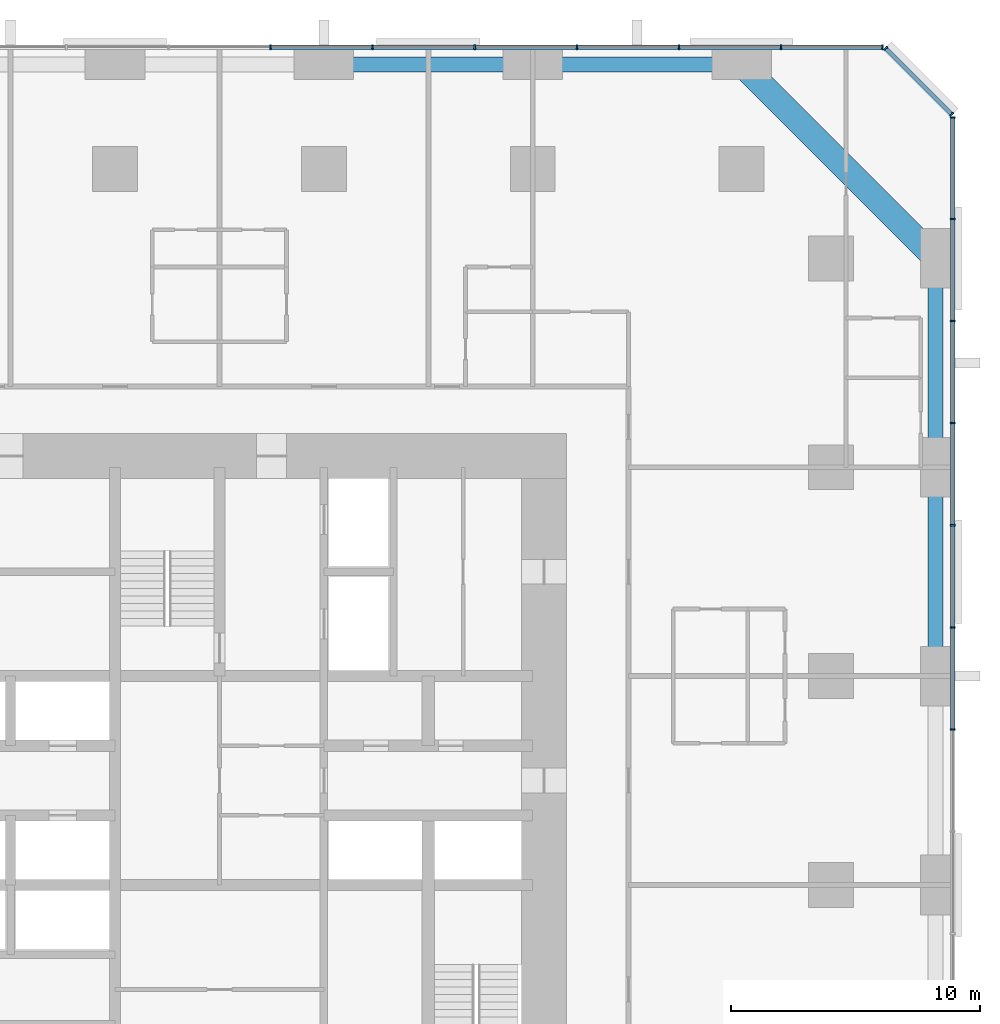
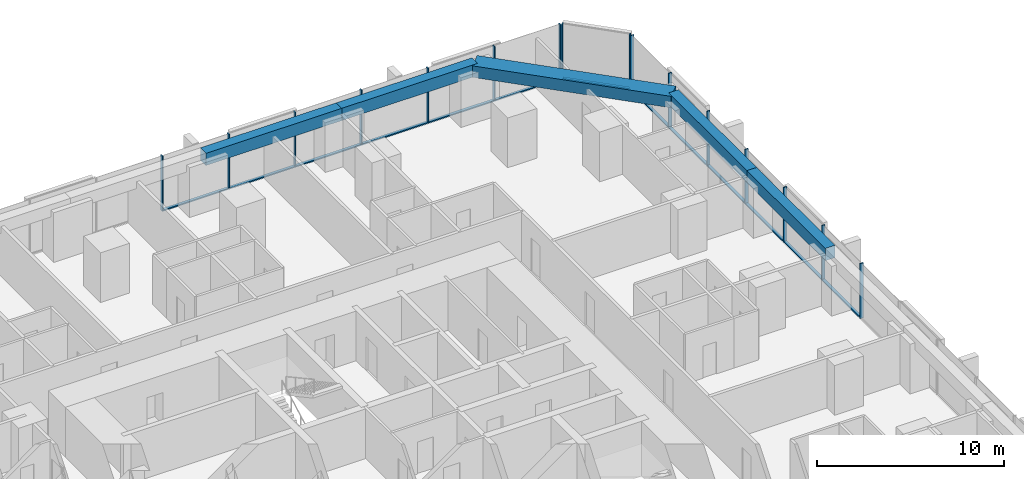
# One storey, part 8 of 17: 29 members, 5 beams, 3 elements without a shape of their own.
"""IFC4 building model written with IfcOpenShell, lengths in metres."""

from ifc_helpers import new_model, si_unit, direction, frame, origin, origin_2d, place, context, subcontext, project, spatial, rectangle, extrude, material, material_profile, profile_set, type_object, element, aggregate, save


model = new_model("IFC4")

# Units and contexts
model_context = context("Model", 3, precision=1e-05, world=origin(), true_north=direction((0.0, 1.0)))
body_context = subcontext(model_context, "Body", "Model", "MODEL_VIEW")
ifc_project = project(units=[si_unit("LENGTHUNIT", "METRE"), si_unit("AREAUNIT", "SQUARE_METRE"), si_unit("VOLUMEUNIT", "CUBIC_METRE"), si_unit("PLANEANGLEUNIT", "RADIAN"), si_unit("MASSUNIT", "GRAM", prefix="KILO")], contexts=[model_context])

# Site, building, storey
site_placement = place(None, origin())
site = spatial("IfcSite", under=ifc_project, at=site_placement, CompositionType="ELEMENT")
building_placement = place(site_placement, origin())
building = spatial("IfcBuilding", under=site, at=building_placement, Name="Dunama Terrace Hotel", CompositionType="ELEMENT")
storey_placement = place(building_placement, frame((0.0, 0.0, 37.800048828125)))
storey = spatial("IfcBuildingStorey", under=building, at=storey_placement, Name="L08", CompositionType="ELEMENT", Elevation=37.800048828125)

# Curtain wall, members
ifc_material_1 = material(Name="Aluminium curtain wall system", Category="aluminium")
curtain_wall_type = type_object("IfcCurtainWallType", Name="Unitised fritted glass wall CW-A", PredefinedType="NOTDEFINED", material=ifc_material_1)
curtain_wall_1_placement = place(storey_placement, origin())
curtain_wall_1 = element("IfcCurtainWall", 1, at=curtain_wall_1_placement, inside=storey, type_object=curtain_wall_type, Name="Unitised fritted glass wall CW-A L08", PredefinedType="NOTDEFINED")
ifc_material_2 = material(Name="Aluminium mullion", Category="aluminium")
ifc_material_profile_1 = material_profile(ifc_material_2, rectangle(XDim=0.06494140625, YDim=0.199951171875, at=origin_2d()), Name="CWA MULLION 65X200")
ifc_profile_set_1 = profile_set([ifc_material_profile_1], Name="Aluminium mullion")
member_type_1 = type_object("IfcMemberType", Name="CWA mullion 65x200", PredefinedType="MULLION", material=ifc_profile_set_1)
member_1_placement = place(storey_placement, frame((58.89990234375, 31.4541015625, 0.0), z_axis=(0.0, 0.0, 1.0), x_axis=(0.0, 1.0, 0.0)))
member_1 = element("IfcMember", 2, at=member_1_placement, type_object=member_type_1, Name="CWA mullion", PredefinedType="MULLION", context=body_context, shape_type="SweptSolid", body=[
    extrude(rectangle(XDim=0.06494140625, YDim=0.199951171875, at=origin_2d()), origin(), (0.0, 0.0, 1.0), 3.599853515625),
])
member_2_placement = place(storey_placement, frame((58.89990234375, 35.56201171875, 0.0), z_axis=(0.0, 0.0, 1.0), x_axis=(0.0, 1.0, 0.0)))
member_2 = element("IfcMember", 3, at=member_2_placement, type_object=member_type_1, Name="CWA mullion", PredefinedType="MULLION", context=body_context, shape_type="SweptSolid", body=[
    extrude(rectangle(XDim=0.06494140625, YDim=0.199951171875, at=origin_2d()), origin(), (0.0, 0.0, 1.0), 3.599853515625),
])
member_3_placement = place(storey_placement, frame((58.89990234375, 39.6689453125, 0.0), z_axis=(0.0, 0.0, 1.0), x_axis=(0.0, 1.0, 0.0)))
member_3 = element("IfcMember", 4, at=member_3_placement, type_object=member_type_1, Name="CWA mullion", PredefinedType="MULLION", context=body_context, shape_type="SweptSolid", body=[
    extrude(rectangle(XDim=0.06494140625, YDim=0.199951171875, at=origin_2d()), origin(), (0.0, 0.0, 1.0), 3.599853515625),
])
member_4_placement = place(storey_placement, frame((58.89990234375, 43.777099609375, 0.0), z_axis=(0.0, 0.0, 1.0), x_axis=(0.0, 1.0, 0.0)))
member_4 = element("IfcMember", 5, at=member_4_placement, type_object=member_type_1, Name="CWA mullion", PredefinedType="MULLION", context=body_context, shape_type="SweptSolid", body=[
    extrude(rectangle(XDim=0.06494140625, YDim=0.199951171875, at=origin_2d()), origin(), (0.0, 0.0, 1.0), 3.599853515625),
])
member_5_placement = place(storey_placement, frame((58.89990234375, 47.885009765625, 0.0), z_axis=(0.0, 0.0, 1.0), x_axis=(0.0, 1.0, 0.0)))
member_5 = element("IfcMember", 6, at=member_5_placement, type_object=member_type_1, Name="CWA mullion", PredefinedType="MULLION", context=body_context, shape_type="SweptSolid", body=[
    extrude(rectangle(XDim=0.06494140625, YDim=0.199951171875, at=origin_2d()), origin(), (0.0, 0.0, 1.0), 3.599853515625),
])
member_6_placement = place(storey_placement, frame((58.89990234375, 51.991943359375, 0.0), z_axis=(0.0, 0.0, 1.0), x_axis=(0.0, 1.0, 0.0)))
member_6 = element("IfcMember", 7, at=member_6_placement, type_object=member_type_1, Name="CWA mullion", PredefinedType="MULLION", context=body_context, shape_type="SweptSolid", body=[
    extrude(rectangle(XDim=0.06494140625, YDim=0.199951171875, at=origin_2d()), origin(), (0.0, 0.0, 1.0), 3.599853515625),
])
member_7_placement = place(storey_placement, frame((58.89990234375, 56.06689453125, 0.0), z_axis=(0.0, 0.0, 1.0), x_axis=(0.0, 1.0, 0.0)))
member_7 = element("IfcMember", 8, at=member_7_placement, type_object=member_type_1, Name="CWA mullion", PredefinedType="MULLION", context=body_context, shape_type="SweptSolid", body=[
    extrude(rectangle(XDim=0.06494140625, YDim=0.199951171875, at=origin_2d()), origin(), (0.0, 0.0, 1.0), 3.599853515625),
])

curtain_wall_2_placement = place(storey_placement, origin())
curtain_wall_2 = element("IfcCurtainWall", 9, at=curtain_wall_2_placement, inside=storey, type_object=curtain_wall_type, Name="Unitised fritted glass wall CW-A L08", PredefinedType="NOTDEFINED")
member_8_placement = place(storey_placement, frame((58.847900390625, 56.194091796875, 0.0), z_axis=(0.0, 0.0, 1.0), x_axis=(-0.707106781187, 0.707106781187, 0.0)))
member_8 = element("IfcMember", 10, at=member_8_placement, type_object=member_type_1, Name="CWA mullion", PredefinedType="MULLION", context=body_context, shape_type="SweptSolid", body=[
    extrude(rectangle(XDim=0.06494140625, YDim=0.199951171875, at=origin_2d()), origin(), (0.0, 0.0, 1.0), 3.599853515625),
])
member_9_placement = place(storey_placement, frame((56.194091796875, 58.847900390625, 0.0), z_axis=(0.0, 0.0, 1.0), x_axis=(-0.707106781187, 0.707106781187, 0.0)))
member_9 = element("IfcMember", 11, at=member_9_placement, type_object=member_type_1, Name="CWA mullion", PredefinedType="MULLION", context=body_context, shape_type="SweptSolid", body=[
    extrude(rectangle(XDim=0.06494140625, YDim=0.199951171875, at=origin_2d()), origin(), (0.0, 0.0, 1.0), 3.599853515625),
])

curtain_wall_3_placement = place(storey_placement, origin())
curtain_wall_3 = element("IfcCurtainWall", 12, at=curtain_wall_3_placement, inside=storey, type_object=curtain_wall_type, Name="Unitised fritted glass wall CW-A L08", PredefinedType="NOTDEFINED")
member_10_placement = place(storey_placement, frame((56.06689453125, 58.89990234375, 0.0), z_axis=(0.0, 0.0, 1.0), x_axis=(-1.0, 0.0, 0.0)))
member_10 = element("IfcMember", 13, at=member_10_placement, type_object=member_type_1, Name="CWA mullion", PredefinedType="MULLION", context=body_context, shape_type="SweptSolid", body=[
    extrude(rectangle(XDim=0.06494140625, YDim=0.199951171875, at=origin_2d()), origin(), (0.0, 0.0, 1.0), 3.599853515625),
])
member_11_placement = place(storey_placement, frame((51.991943359375, 58.89990234375, 0.0), z_axis=(0.0, 0.0, 1.0), x_axis=(-1.0, 0.0, 0.0)))
member_11 = element("IfcMember", 14, at=member_11_placement, type_object=member_type_1, Name="CWA mullion", PredefinedType="MULLION", context=body_context, shape_type="SweptSolid", body=[
    extrude(rectangle(XDim=0.06494140625, YDim=0.199951171875, at=origin_2d()), origin(), (0.0, 0.0, 1.0), 3.599853515625),
])
member_12_placement = place(storey_placement, frame((47.885009765625, 58.89990234375, 0.0), z_axis=(0.0, 0.0, 1.0), x_axis=(-1.0, 0.0, 0.0)))
member_12 = element("IfcMember", 15, at=member_12_placement, type_object=member_type_1, Name="CWA mullion", PredefinedType="MULLION", context=body_context, shape_type="SweptSolid", body=[
    extrude(rectangle(XDim=0.06494140625, YDim=0.199951171875, at=origin_2d()), origin(), (0.0, 0.0, 1.0), 3.599853515625),
])
member_13_placement = place(storey_placement, frame((43.777099609375, 58.89990234375, 0.0), z_axis=(0.0, 0.0, 1.0), x_axis=(-1.0, 0.0, 0.0)))
member_13 = element("IfcMember", 16, at=member_13_placement, type_object=member_type_1, Name="CWA mullion", PredefinedType="MULLION", context=body_context, shape_type="SweptSolid", body=[
    extrude(rectangle(XDim=0.06494140625, YDim=0.199951171875, at=origin_2d()), origin(), (0.0, 0.0, 1.0), 3.599853515625),
])
member_14_placement = place(storey_placement, frame((39.6689453125, 58.89990234375, 0.0), z_axis=(0.0, 0.0, 1.0), x_axis=(-1.0, 0.0, 0.0)))
member_14 = element("IfcMember", 17, at=member_14_placement, type_object=member_type_1, Name="CWA mullion", PredefinedType="MULLION", context=body_context, shape_type="SweptSolid", body=[
    extrude(rectangle(XDim=0.06494140625, YDim=0.199951171875, at=origin_2d()), origin(), (0.0, 0.0, 1.0), 3.599853515625),
])
member_15_placement = place(storey_placement, frame((35.56201171875, 58.89990234375, 0.0), z_axis=(0.0, 0.0, 1.0), x_axis=(-1.0, 0.0, 0.0)))
member_15 = element("IfcMember", 18, at=member_15_placement, type_object=member_type_1, Name="CWA mullion", PredefinedType="MULLION", context=body_context, shape_type="SweptSolid", body=[
    extrude(rectangle(XDim=0.06494140625, YDim=0.199951171875, at=origin_2d()), origin(), (0.0, 0.0, 1.0), 3.599853515625),
])
member_16_placement = place(storey_placement, frame((31.4541015625, 58.89990234375, 0.0), z_axis=(0.0, 0.0, 1.0), x_axis=(-1.0, 0.0, 0.0)))
member_16 = element("IfcMember", 19, at=member_16_placement, type_object=member_type_1, Name="CWA mullion", PredefinedType="MULLION", context=body_context, shape_type="SweptSolid", body=[
    extrude(rectangle(XDim=0.06494140625, YDim=0.199951171875, at=origin_2d()), origin(), (0.0, 0.0, 1.0), 3.599853515625),
])

# Member
ifc_material_3 = material(Name="Aluminium transom", Category="aluminium")
ifc_material_profile_2 = material_profile(ifc_material_3, rectangle(XDim=0.179931640625, YDim=0.074951171875, at=origin_2d()), Name="CWA TRANSOM 180X75")
ifc_profile_set_2 = profile_set([ifc_material_profile_2], Name="Aluminium transom")
member_type_2 = type_object("IfcMemberType", Name="CWA transom 180x75", PredefinedType="USERDEFINED", material=ifc_profile_set_2)
member_17_placement = place(storey_placement, frame((58.89990234375, 31.486083984375, 0.037353515625), z_axis=(0.0, 1.0, 0.0), x_axis=(-1.0, 0.0, 0.0)))
member_17 = element("IfcMember", 20, at=member_17_placement, type_object=member_type_2, Name="CWA transom", ObjectType="TRANSOM", PredefinedType="USERDEFINED", context=body_context, shape_type="SweptSolid", body=[
    extrude(rectangle(XDim=0.179931640625, YDim=0.074951171875, at=origin_2d()), origin(), (0.0, 0.0, 1.0), 4.04296875),
])

member_18_placement = place(storey_placement, frame((58.89990234375, 35.593994140625, 0.037353515625), z_axis=(0.0, 1.0, 0.0), x_axis=(-1.0, 0.0, 0.0)))
member_18 = element("IfcMember", 21, at=member_18_placement, type_object=member_type_2, Name="CWA transom", ObjectType="TRANSOM", PredefinedType="USERDEFINED", context=body_context, shape_type="SweptSolid", body=[
    extrude(rectangle(XDim=0.179931640625, YDim=0.074951171875, at=origin_2d()), origin(), (0.0, 0.0, 1.0), 4.04296875),
])

member_19_placement = place(storey_placement, frame((58.89990234375, 39.701904296875, 0.037353515625), z_axis=(0.0, 1.0, 0.0), x_axis=(-1.0, 0.0, 0.0)))
member_19 = element("IfcMember", 22, at=member_19_placement, type_object=member_type_2, Name="CWA transom", ObjectType="TRANSOM", PredefinedType="USERDEFINED", context=body_context, shape_type="SweptSolid", body=[
    extrude(rectangle(XDim=0.179931640625, YDim=0.074951171875, at=origin_2d()), origin(), (0.0, 0.0, 1.0), 4.0419921875),
])

member_20_placement = place(storey_placement, frame((58.89990234375, 43.80908203125, 0.037353515625), z_axis=(0.0, 1.0, 0.0), x_axis=(-1.0, 0.0, 0.0)))
member_20 = element("IfcMember", 23, at=member_20_placement, type_object=member_type_2, Name="CWA transom", ObjectType="TRANSOM", PredefinedType="USERDEFINED", context=body_context, shape_type="SweptSolid", body=[
    extrude(rectangle(XDim=0.179931640625, YDim=0.074951171875, at=origin_2d()), origin(), (0.0, 0.0, 1.0), 4.04296875),
])

member_21_placement = place(storey_placement, frame((58.89990234375, 47.9169921875, 0.037353515625), z_axis=(0.0, 1.0, 0.0), x_axis=(-1.0, 0.0, 0.0)))
member_21 = element("IfcMember", 24, at=member_21_placement, type_object=member_type_2, Name="CWA transom", ObjectType="TRANSOM", PredefinedType="USERDEFINED", context=body_context, shape_type="SweptSolid", body=[
    extrude(rectangle(XDim=0.179931640625, YDim=0.074951171875, at=origin_2d()), origin(), (0.0, 0.0, 1.0), 4.04296875),
])

member_22_placement = place(storey_placement, frame((58.89990234375, 52.02490234375, 0.037353515625), z_axis=(0.0, 1.0, 0.0), x_axis=(-1.0, 0.0, 0.0)))
member_22 = element("IfcMember", 25, at=member_22_placement, type_object=member_type_2, Name="CWA transom", ObjectType="TRANSOM", PredefinedType="USERDEFINED", context=body_context, shape_type="SweptSolid", body=[
    extrude(rectangle(XDim=0.179931640625, YDim=0.074951171875, at=origin_2d()), origin(), (0.0, 0.0, 1.0), 4.010009765625),
])

aggregate(curtain_wall_1, [member_1, member_2, member_3, member_4, member_5, member_6, member_7, member_17, member_18, member_19, member_20, member_21, member_22])

member_23_placement = place(storey_placement, frame((58.824951171875, 56.217041015625, 0.037353515625), z_axis=(-0.707106781187, 0.707106781187, 0.0), x_axis=(-0.707106781187, -0.707106781187, 0.0)))
member_23 = element("IfcMember", 26, at=member_23_placement, type_object=member_type_2, Name="CWA transom", ObjectType="TRANSOM", PredefinedType="USERDEFINED", context=body_context, shape_type="SweptSolid", body=[
    extrude(rectangle(XDim=0.179931640625, YDim=0.074951171875, at=origin_2d()), origin(), (0.0, 0.0, 1.0), 3.688232421875),
])

aggregate(curtain_wall_2, [member_8, member_9, member_23])

member_24_placement = place(storey_placement, frame((56.034912109375, 58.89990234375, 0.037353515625), z_axis=(-1.0, 0.0, 0.0), x_axis=(0.0, -1.0, 0.0)))
member_24 = element("IfcMember", 27, at=member_24_placement, type_object=member_type_2, Name="CWA transom", ObjectType="TRANSOM", PredefinedType="USERDEFINED", context=body_context, shape_type="SweptSolid", body=[
    extrude(rectangle(XDim=0.179931640625, YDim=0.074951171875, at=origin_2d()), origin(), (0.0, 0.0, 1.0), 4.010009765625),
])

member_25_placement = place(storey_placement, frame((51.9599609375, 58.89990234375, 0.037353515625), z_axis=(-1.0, 0.0, 0.0), x_axis=(0.0, -1.0, 0.0)))
member_25 = element("IfcMember", 28, at=member_25_placement, type_object=member_type_2, Name="CWA transom", ObjectType="TRANSOM", PredefinedType="USERDEFINED", context=body_context, shape_type="SweptSolid", body=[
    extrude(rectangle(XDim=0.179931640625, YDim=0.074951171875, at=origin_2d()), origin(), (0.0, 0.0, 1.0), 4.04296875),
])

member_26_placement = place(storey_placement, frame((47.85205078125, 58.89990234375, 0.037353515625), z_axis=(-1.0, 0.0, 0.0), x_axis=(0.0, -1.0, 0.0)))
member_26 = element("IfcMember", 29, at=member_26_placement, type_object=member_type_2, Name="CWA transom", ObjectType="TRANSOM", PredefinedType="USERDEFINED", context=body_context, shape_type="SweptSolid", body=[
    extrude(rectangle(XDim=0.179931640625, YDim=0.074951171875, at=origin_2d()), origin(), (0.0, 0.0, 1.0), 4.04296875),
])

member_27_placement = place(storey_placement, frame((43.743896484375, 58.89990234375, 0.037353515625), z_axis=(-1.0, 0.0, 0.0), x_axis=(0.0, -1.0, 0.0)))
member_27 = element("IfcMember", 30, at=member_27_placement, type_object=member_type_2, Name="CWA transom", ObjectType="TRANSOM", PredefinedType="USERDEFINED", context=body_context, shape_type="SweptSolid", body=[
    extrude(rectangle(XDim=0.179931640625, YDim=0.074951171875, at=origin_2d()), origin(), (0.0, 0.0, 1.0), 4.0419921875),
])

member_28_placement = place(storey_placement, frame((39.636962890625, 58.89990234375, 0.037353515625), z_axis=(-1.0, 0.0, 0.0), x_axis=(0.0, -1.0, 0.0)))
member_28 = element("IfcMember", 31, at=member_28_placement, type_object=member_type_2, Name="CWA transom", ObjectType="TRANSOM", PredefinedType="USERDEFINED", context=body_context, shape_type="SweptSolid", body=[
    extrude(rectangle(XDim=0.179931640625, YDim=0.074951171875, at=origin_2d()), origin(), (0.0, 0.0, 1.0), 4.04296875),
])

member_29_placement = place(storey_placement, frame((35.529052734375, 58.89990234375, 0.037353515625), z_axis=(-1.0, 0.0, 0.0), x_axis=(0.0, -1.0, 0.0)))
member_29 = element("IfcMember", 32, at=member_29_placement, type_object=member_type_2, Name="CWA transom", ObjectType="TRANSOM", PredefinedType="USERDEFINED", context=body_context, shape_type="SweptSolid", body=[
    extrude(rectangle(XDim=0.179931640625, YDim=0.074951171875, at=origin_2d()), origin(), (0.0, 0.0, 1.0), 4.04296875),
])

aggregate(curtain_wall_3, [member_10, member_11, member_12, member_13, member_14, member_15, member_16, member_24, member_25, member_26, member_27, member_28, member_29])

# Beams
ifc_material_4 = material(Name="Concrete C50/60", Category="concrete")
ifc_material_profile_3 = material_profile(ifc_material_4, rectangle(XDim=1.0, YDim=0.75, at=origin_2d()), Name="RC 1000x750")
ifc_profile_set_3 = profile_set([ifc_material_profile_3], Name="Concrete C50/60")
beam_type_1 = type_object("IfcBeamType", Name="Edge beam RC 1000x750", PredefinedType="SPANDREL", material=ifc_profile_set_3)
beam_placement = place(storey_placement, frame((50.39990234375, 58.199951171875, 3.224853515625), z_axis=(0.707106781187, -0.707106781187, 0.0), x_axis=(0.707106781187, 0.707106781187, 0.0)))
element("IfcBeam", 33, at=beam_placement, inside=storey, type_object=beam_type_1, Name="Corner edge beam under L09", PredefinedType="SPANDREL", context=body_context, shape_type="SweptSolid", body=[
    extrude(rectangle(XDim=1.0, YDim=0.75, at=origin_2d()), origin(), (0.0, 0.0, 1.0), 11.031005859375),
])
ifc_material_5 = material(Name="Concrete C40/50", Category="concrete")
ifc_material_profile_4 = material_profile(ifc_material_5, rectangle(XDim=0.60009765625, YDim=0.800048828125, at=origin_2d()), Name="RC 600x800")
ifc_profile_set_4 = profile_set([ifc_material_profile_4], Name="Concrete C40/50")
beam_type_2 = type_object("IfcBeamType", Name="Edge beam RC 600x800", PredefinedType="SPANDREL", material=ifc_profile_set_4)
for number, where, z_axis, x_axis, name in (
    (34, (58.199951171875, 33.60009765625, 3.199951171875), (0.0, 1.0, 0.0), (-1.0, 0.0, 0.0), "Edge beam under L09"),
    (35, (58.199951171875, 42.0, 3.199951171875), (0.0, 1.0, 0.0), (-1.0, 0.0, 0.0), "Edge beam under L09"),
    (36, (33.60009765625, 58.199951171875, 3.199951171875), (1.0, 0.0, 0.0), (0.0, 1.0, 0.0), "Edge beam under L09"),
    (37, (42.0, 58.199951171875, 3.199951171875), (1.0, 0.0, 0.0), (0.0, 1.0, 0.0), "Edge beam under L09"),
):
    element("IfcBeam", number, at=place(storey_placement, frame(where, z_axis=z_axis, x_axis=x_axis)), inside=storey, type_object=beam_type_2, Name=name, PredefinedType="SPANDREL", context=body_context, shape_type="SweptSolid", body=[
        extrude(rectangle(XDim=0.60009765625, YDim=0.800048828125, at=origin_2d()), origin(), (0.0, 0.0, 1.0), 8.39990234375),
    ])

save(model, "model.ifc")
